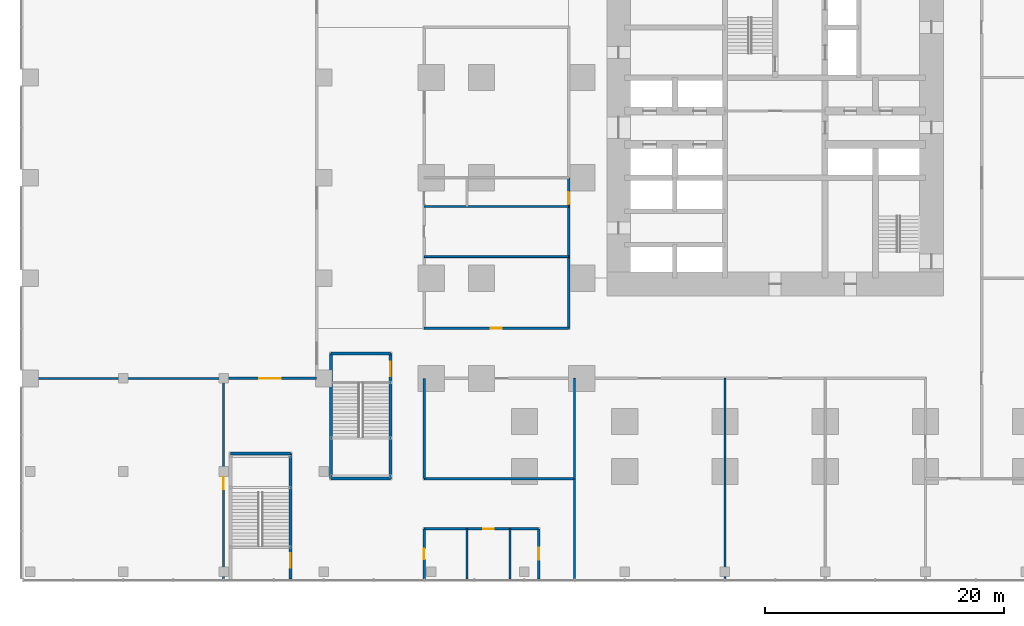
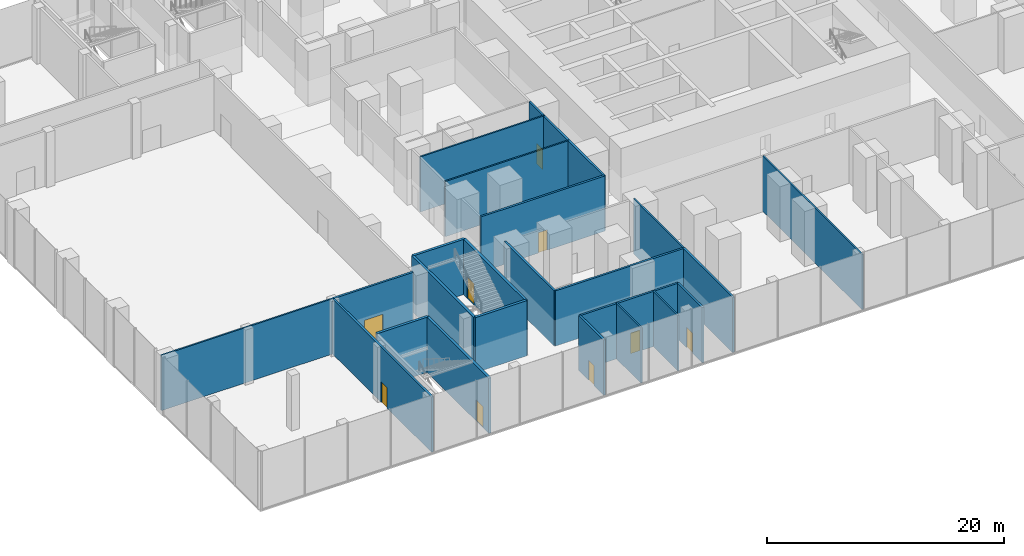
# One storey, part 25 of 32: 23 walls, 9 doors, 9 openings.
"""IFC4 building model written with IfcOpenShell, lengths in metres."""

from ifc_helpers import new_model, si_unit, direction, frame, frame_2d, origin, origin_with_axes, place, context, subcontext, project, spatial, rectangle, extrude, material, layer, layer_set, type_object, element, fill, save


model = new_model("IFC4")

# Units and contexts
model_context = context("Model", 3, precision=1e-05, world=origin(), true_north=direction((0.0, 1.0)))
body_context = subcontext(model_context, "Body", "Model", "MODEL_VIEW")
ifc_project = project(units=[si_unit("LENGTHUNIT", "METRE"), si_unit("AREAUNIT", "SQUARE_METRE"), si_unit("VOLUMEUNIT", "CUBIC_METRE"), si_unit("PLANEANGLEUNIT", "RADIAN"), si_unit("MASSUNIT", "GRAM", prefix="KILO")], contexts=[model_context])

# Site, building, storey
site_placement = place(None, origin())
site = spatial("IfcSite", under=ifc_project, at=site_placement, CompositionType="ELEMENT")
building_placement = place(site_placement, origin())
building = spatial("IfcBuilding", under=site, at=building_placement, Name="Dunama Terrace Hotel", CompositionType="ELEMENT")
storey_placement = place(building_placement, frame((0.0, 0.0, 6.0)))
storey = spatial("IfcBuildingStorey", under=building, at=storey_placement, Name="L01", CompositionType="ELEMENT", Elevation=6.0)

# Wall, opening, door
ifc_material_1 = material(Name="Concrete blockwork", Category="masonry")
ifc_layer_1 = layer(ifc_material_1, 0.199951171875)
ifc_layer_set_1 = layer_set([ifc_layer_1], Name="Corridor partition 200")
wall_type_1 = type_object("IfcWallType", Name="Corridor partition 200", PredefinedType="PARTITIONING", material=ifc_layer_set_1)
wall_1_placement = place(storey_placement, frame((-16.800048828125, -8.39990234375, 0.0), z_axis=(0.0, 0.0, 1.0), x_axis=(0.0, 1.0, 0.0)))
wall_1 = element("IfcWall", 1, at=wall_1_placement, inside=storey, type_object=wall_type_1, Name="Corridor partition 200 L01", PredefinedType="PARTITIONING", context=body_context, shape_type="SweptSolid", body=[
    extrude(rectangle(XDim=16.7998046875, YDim=0.199951171875, at=frame_2d((8.39990234375, 0.0))), origin(), (0.0, 0.0, 1.0), 5.699951171875),
])
opening_1_placement = place(wall_1_placement, frame((7.5, 0.0, 0.0)))
opening_1 = element("IfcOpeningElement", 2, at=opening_1_placement, cuts=wall_1, Name="Opening L01-036", PredefinedType="OPENING", context=body_context, shape_type="SweptSolid", body=[
    extrude(rectangle(XDim=1.0, YDim=2.10009765625, at=frame_2d((0.5, 1.050048828125))), frame((0.0, 0.10986328125, 0.0), z_axis=(0.0, -1.0, 0.0), x_axis=(1.0, 0.0, 0.0)), (0.0, 0.0, 1.0), 0.219970703125),
])
ifc_material_2 = material(Name="Timber door with steel frame", Category="steel")
door_type_1 = type_object("IfcDoorType", Name="Service door 1000", OperationType="SINGLE_SWING_LEFT", PredefinedType="DOOR", material=ifc_material_2)
door_1_placement = place(opening_1_placement, origin())
door_1 = element("IfcDoor", 3, at=door_1_placement, inside=storey, type_object=door_type_1, Name="Door to banquet store L01-036, type D7", OperationType="SINGLE_SWING_RIGHT", OverallHeight=2.10009765625, OverallWidth=1.0, PredefinedType="DOOR", context=body_context, shape_type="SweptSolid", body=[
    extrude(rectangle(XDim=1.0, YDim=2.10009765625, at=frame_2d((0.5, 1.050048828125))), frame((0.0, 0.02490234375, 0.0), z_axis=(0.0, -1.0, 0.0), x_axis=(1.0, 0.0, 0.0)), (0.0, 0.0, 1.0), 0.050048828125),
])
fill(opening_1, door_1)

wall_2_placement = place(storey_placement, frame((0.0, -8.39990234375, 0.0), z_axis=(0.0, 0.0, 1.0), x_axis=(0.0, 1.0, 0.0)))
wall_2 = element("IfcWall", 4, at=wall_2_placement, inside=storey, type_object=wall_type_1, Name="Corridor partition 200 L01", PredefinedType="PARTITIONING", context=body_context, shape_type="SweptSolid", body=[
    extrude(rectangle(XDim=4.199951171875, YDim=0.199951171875, at=frame_2d((2.10009765625, 0.0))), origin(), (0.0, 0.0, 1.0), 5.699951171875),
])
opening_2_placement = place(wall_2_placement, frame((1.64990234375, 0.0, 0.0)))
opening_2 = element("IfcOpeningElement", 5, at=opening_2_placement, cuts=wall_2, Name="Opening L01-041", PredefinedType="OPENING", context=body_context, shape_type="SweptSolid", body=[
    extrude(rectangle(XDim=0.89990234375, YDim=2.10009765625, at=frame_2d((0.449951171875, 1.050048828125))), frame((0.0, 0.10986328125, 0.0), z_axis=(0.0, -1.0, 0.0), x_axis=(1.0, 0.0, 0.0)), (0.0, 0.0, 1.0), 0.219970703125),
])
ifc_material_3 = material(Name="Timber door with steel frame", Category="steel")
door_type_2 = type_object("IfcDoorType", Name="WC door 900", OperationType="SINGLE_SWING_LEFT", PredefinedType="DOOR", material=ifc_material_3)
door_2_placement = place(opening_2_placement, frame((0.89990234375, 0.0, 0.0), z_axis=(0.0, 0.0, 1.0), x_axis=(-1.0, 0.0, 0.0)))
door_2 = element("IfcDoor", 6, at=door_2_placement, inside=storey, type_object=door_type_2, Name="Door to male wc L01-041, type D6", OperationType="SINGLE_SWING_RIGHT", OverallHeight=2.10009765625, OverallWidth=0.89990234375, PredefinedType="DOOR", context=body_context, shape_type="SweptSolid", body=[
    extrude(rectangle(XDim=0.89990234375, YDim=2.10009765625, at=frame_2d((0.449951171875, 1.050048828125))), frame((0.0, 0.025146484375, 0.0), z_axis=(0.0, -1.0, 0.0), x_axis=(1.0, 0.0, 0.0)), (0.0, 0.0, 1.0), 0.050048828125),
])
fill(opening_2, door_2)

# Wall
wall_3_placement = place(storey_placement, frame((0.0, 0.0, 0.0), z_axis=(0.0, 0.0, 1.0), x_axis=(0.0, 1.0, 0.0)))
element("IfcWall", 7, at=wall_3_placement, inside=storey, type_object=wall_type_1, Name="Corridor partition 200 L01", PredefinedType="PARTITIONING", context=body_context, shape_type="SweptSolid", body=[
    extrude(rectangle(XDim=8.39990234375, YDim=0.199951171875, at=frame_2d((4.199951171875, 0.0))), origin(), (0.0, 0.0, 1.0), 5.699951171875),
])

# Wall, opening, door
wall_4_placement = place(storey_placement, frame((9.60009765625, -8.423095703125, 0.0), z_axis=(0.0, 0.0, 1.0), x_axis=(0.0, 1.0, 0.0)))
wall_4 = element("IfcWall", 8, at=wall_4_placement, inside=storey, type_object=wall_type_1, Name="Corridor partition 200 L01", PredefinedType="PARTITIONING", context=body_context, shape_type="SweptSolid", body=[
    extrude(rectangle(XDim=4.22314453125, YDim=0.199951171875, at=frame_2d((2.111572265625, 0.0))), origin(), (0.0, 0.0, 1.0), 5.699951171875),
])
opening_3_placement = place(wall_4_placement, frame((1.623046875, 0.0, 0.0)))
opening_3 = element("IfcOpeningElement", 9, at=opening_3_placement, cuts=wall_4, Name="Opening L01-043", PredefinedType="OPENING", context=body_context, shape_type="SweptSolid", body=[
    extrude(rectangle(XDim=1.0, YDim=2.10009765625, at=frame_2d((0.5, 1.050048828125))), frame((0.0, 0.10986328125, 0.0), z_axis=(0.0, -1.0, 0.0), x_axis=(1.0, 0.0, 0.0)), (0.0, 0.0, 1.0), 0.219970703125),
])
ifc_material_4 = material(Name="Timber door with steel frame", Category="steel")
door_type_3 = type_object("IfcDoorType", Name="Accessible room door 1000", OperationType="SINGLE_SWING_LEFT", PredefinedType="DOOR", material=ifc_material_4)
door_3_placement = place(opening_3_placement, origin())
door_3 = element("IfcDoor", 10, at=door_3_placement, inside=storey, type_object=door_type_3, Name="Door to accessible wc L01-043, type D17", OperationType="SINGLE_SWING_LEFT", OverallHeight=2.10009765625, OverallWidth=1.0, PredefinedType="DOOR", context=body_context, shape_type="SweptSolid", body=[
    extrude(rectangle(XDim=1.0, YDim=2.10009765625, at=frame_2d((0.5, 1.050048828125))), frame((0.0, 0.02490234375, 0.0), z_axis=(0.0, -1.0, 0.0), x_axis=(1.0, 0.0, 0.0)), (0.0, 0.0, 1.0), 0.050048828125),
])
fill(opening_3, door_3)

wall_5_placement = place(storey_placement, frame((12.10009765625, 12.60009765625, 0.0), z_axis=(0.0, 0.0, 1.0), x_axis=(0.0, 1.0, 0.0)))
wall_5 = element("IfcWall", 11, at=wall_5_placement, inside=storey, type_object=wall_type_1, Name="Corridor partition 200 L01", PredefinedType="PARTITIONING", context=body_context, shape_type="SweptSolid", body=[
    extrude(rectangle(XDim=12.599853515625, YDim=0.199951171875, at=frame_2d((6.2998046875, 0.0))), origin(), (0.0, 0.0, 1.0), 5.699951171875),
])
opening_4_placement = place(wall_5_placement, frame((10.39990234375, 0.0, 0.0)))
opening_4 = element("IfcOpeningElement", 12, at=opening_4_placement, cuts=wall_5, Name="Opening L01-047", PredefinedType="OPENING", context=body_context, shape_type="SweptSolid", body=[
    extrude(rectangle(XDim=1.0, YDim=2.10009765625, at=frame_2d((0.5, 1.050048828125))), frame((0.0, 0.10986328125, 0.0), z_axis=(0.0, -1.0, 0.0), x_axis=(1.0, 0.0, 0.0)), (0.0, 0.0, 1.0), 0.219970703125),
])
door_4_placement = place(opening_4_placement, origin())
door_4 = element("IfcDoor", 13, at=door_4_placement, inside=storey, type_object=door_type_1, Name="Door to ballroom wc cleaners store L01-047, type D7", OperationType="SINGLE_SWING_RIGHT", OverallHeight=2.10009765625, OverallWidth=1.0, PredefinedType="DOOR", context=body_context, shape_type="SweptSolid", body=[
    extrude(rectangle(XDim=1.0, YDim=2.10009765625, at=frame_2d((0.5, 1.050048828125))), frame((0.0, 0.02490234375, 0.0), z_axis=(0.0, -1.0, 0.0), x_axis=(1.0, 0.0, 0.0)), (0.0, 0.0, 1.0), 0.050048828125),
])
fill(opening_4, door_4)

# Wall
wall_6_placement = place(storey_placement, frame((12.60009765625, -8.39990234375, 0.0), z_axis=(0.0, 0.0, 1.0), x_axis=(0.0, 1.0, 0.0)))
element("IfcWall", 14, at=wall_6_placement, inside=storey, type_object=wall_type_1, Name="Corridor partition 200 L01", PredefinedType="PARTITIONING", context=body_context, shape_type="SweptSolid", body=[
    extrude(rectangle(XDim=8.39990234375, YDim=0.199951171875, at=frame_2d((4.199951171875, 0.0))), origin(), (0.0, 0.0, 1.0), 5.699951171875),
])

# Wall, opening, door
wall_7_placement = place(storey_placement, frame((0.0, -4.199951171875, 0.0), z_axis=(0.0, 0.0, 1.0), x_axis=(1.0, 0.0, 0.0)))
wall_7 = element("IfcWall", 15, at=wall_7_placement, inside=storey, type_object=wall_type_1, Name="Corridor partition 200 L01", PredefinedType="PARTITIONING", context=body_context, shape_type="SweptSolid", body=[
    extrude(rectangle(XDim=9.60009765625, YDim=0.199951171875, at=frame_2d((4.800048828125, 0.0))), origin(), (0.0, 0.0, 1.0), 5.699951171875),
])
opening_5_placement = place(wall_7_placement, frame((4.949951171875, 0.0, 0.0)))
opening_5 = element("IfcOpeningElement", 16, at=opening_5_placement, cuts=wall_7, Name="Opening L01-042", PredefinedType="OPENING", context=body_context, shape_type="SweptSolid", body=[
    extrude(rectangle(XDim=0.89990234375, YDim=2.10009765625, at=frame_2d((0.449951171875, 1.050048828125))), frame((0.0, 0.10986328125, 0.0), z_axis=(0.0, -1.0, 0.0), x_axis=(1.0, 0.0, 0.0)), (0.0, 0.0, 1.0), 0.219970703125),
])
door_5_placement = place(opening_5_placement, frame((0.89990234375, 0.0, 0.0), z_axis=(0.0, 0.0, 1.0), x_axis=(-1.0, 0.0, 0.0)))
door_5 = element("IfcDoor", 17, at=door_5_placement, inside=storey, type_object=door_type_2, Name="Door to female wc L01-042, type D6", OperationType="SINGLE_SWING_LEFT", OverallHeight=2.10009765625, OverallWidth=0.89990234375, PredefinedType="DOOR", context=body_context, shape_type="SweptSolid", body=[
    extrude(rectangle(XDim=0.89990234375, YDim=2.10009765625, at=frame_2d((0.449951171875, 1.050048828125))), frame((0.0, 0.025146484375, 0.0), z_axis=(0.0, -1.0, 0.0), x_axis=(1.0, 0.0, 0.0)), (0.0, 0.0, 1.0), 0.050048828125),
])
fill(opening_5, door_5)

# Wall
wall_8_placement = place(storey_placement, origin_with_axes())
element("IfcWall", 18, at=wall_8_placement, inside=storey, type_object=wall_type_1, Name="Corridor partition 200 L01", PredefinedType="PARTITIONING", context=body_context, shape_type="SweptSolid", body=[
    extrude(rectangle(XDim=12.60009765625, YDim=0.199951171875, at=frame_2d((6.300048828125, 0.0))), origin(), (0.0, 0.0, 1.0), 5.699951171875),
])

# Wall, opening, door
wall_9_placement = place(storey_placement, frame((0.0, 12.60009765625, 0.0), z_axis=(0.0, 0.0, 1.0), x_axis=(1.0, 0.0, 0.0)))
wall_9 = element("IfcWall", 19, at=wall_9_placement, inside=storey, type_object=wall_type_1, Name="Corridor partition 200 L01", PredefinedType="PARTITIONING", context=body_context, shape_type="SweptSolid", body=[
    extrude(rectangle(XDim=12.10009765625, YDim=0.199951171875, at=frame_2d((6.050048828125, 0.0))), origin(), (0.0, 0.0, 1.0), 5.699951171875),
])
opening_6_placement = place(wall_9_placement, frame((5.60009765625, 0.0, 0.0)))
opening_6 = element("IfcOpeningElement", 20, at=opening_6_placement, cuts=wall_9, Name="Opening L01-044", PredefinedType="OPENING", context=body_context, shape_type="SweptSolid", body=[
    extrude(rectangle(XDim=0.89990234375, YDim=2.10009765625, at=frame_2d((0.449951171875, 1.050048828125))), frame((0.0, 0.10986328125, 0.0), z_axis=(0.0, -1.0, 0.0), x_axis=(1.0, 0.0, 0.0)), (0.0, 0.0, 1.0), 0.219970703125),
])
door_6_placement = place(opening_6_placement, origin())
door_6 = element("IfcDoor", 21, at=door_6_placement, inside=storey, type_object=door_type_2, Name="Door to ballroom female wc L01-044, type D6", OperationType="SINGLE_SWING_LEFT", OverallHeight=2.10009765625, OverallWidth=0.89990234375, PredefinedType="DOOR", context=body_context, shape_type="SweptSolid", body=[
    extrude(rectangle(XDim=0.89990234375, YDim=2.10009765625, at=frame_2d((0.449951171875, 1.050048828125))), frame((0.0, 0.02490234375, 0.0), z_axis=(0.0, -1.0, 0.0), x_axis=(1.0, 0.0, 0.0)), (0.0, 0.0, 1.0), 0.050048828125),
])
fill(opening_6, door_6)

wall_10_placement = place(storey_placement, frame((-9.0, 8.39990234375, 0.0), z_axis=(0.0, 0.0, 1.0), x_axis=(-1.0, 0.0, 0.0)))
wall_10 = element("IfcWall", 22, at=wall_10_placement, inside=storey, type_object=wall_type_1, Name="Corridor partition 200 L01", PredefinedType="PARTITIONING", context=body_context, shape_type="SweptSolid", body=[
    extrude(rectangle(XDim=7.800048828125, YDim=0.199951171875, at=frame_2d((3.89990234375, 0.0))), origin(), (0.0, 0.0, 1.0), 5.699951171875),
])
opening_7_placement = place(wall_10_placement, frame((3.0, 0.0, 0.0)))
opening_7 = element("IfcOpeningElement", 23, at=opening_7_placement, cuts=wall_10, Name="Opening L01-029", PredefinedType="OPENING", context=body_context, shape_type="SweptSolid", body=[
    extrude(rectangle(XDim=1.800048828125, YDim=2.39990234375, at=frame_2d((0.89990234375, 1.199951171875))), frame((0.0, 0.10986328125, 0.0), z_axis=(0.0, -1.0, 0.0), x_axis=(1.0, 0.0, 0.0)), (0.0, 0.0, 1.0), 0.219970703125),
])
ifc_material_5 = material(Name="Aluminium-framed glazed door", Category="aluminium")
door_type_4 = type_object("IfcDoorType", Name="Glazed double door 1800", OperationType="DOUBLE_DOOR_DOUBLE_SWING", PredefinedType="DOOR", material=ifc_material_5)
door_7_placement = place(opening_7_placement, origin())
door_7 = element("IfcDoor", 24, at=door_7_placement, inside=storey, type_object=door_type_4, Name="Door to ballroom L01-029, type D8", OperationType="DOUBLE_DOOR_DOUBLE_SWING", OverallHeight=2.39990234375, OverallWidth=1.800048828125, PredefinedType="DOOR", context=body_context, shape_type="SweptSolid", body=[
    extrude(rectangle(XDim=1.800048828125, YDim=2.39990234375, at=frame_2d((0.89990234375, 1.199951171875))), frame((0.0, 0.02490234375, 0.0), z_axis=(0.0, -1.0, 0.0), x_axis=(1.0, 0.0, 0.0)), (0.0, 0.0, 1.0), 0.050048828125),
])
fill(opening_7, door_7)

# Walls
ifc_material_6 = material(Name="Gypsum board partition", Category="masonry")
ifc_layer_2 = layer(ifc_material_6, 0.14990234375)
ifc_layer_set_2 = layer_set([ifc_layer_2], Name="Room partition 150")
wall_type_2 = type_object("IfcWallType", Name="Room partition 150", PredefinedType="PARTITIONING", material=ifc_layer_set_2)
for number, where, z_axis, x_axis, name in (
    (25, (3.60009765625, -8.423095703125, 0.0), (0.0, 0.0, 1.0), (0.0, 1.0, 0.0), "Room partition 150 L01"),
    (26, (7.199951171875, -8.423095703125, 0.0), (0.0, 0.0, 1.0), (0.0, 1.0, 0.0), "Room partition 150 L01"),
):
    element("IfcWall", number, at=place(storey_placement, frame(where, z_axis=z_axis, x_axis=x_axis)), inside=storey, type_object=wall_type_2, Name=name, PredefinedType="PARTITIONING", context=body_context, shape_type="SweptSolid", body=[
        extrude(rectangle(XDim=4.22314453125, YDim=0.14990234375, at=frame_2d((2.111572265625, 0.0))), origin(), (0.0, 0.0, 1.0), 5.699951171875),
    ])
wall_11_placement = place(storey_placement, frame((12.60009765625, 0.0, 0.0), z_axis=(0.0, 0.0, 1.0), x_axis=(0.0, 1.0, 0.0)))
element("IfcWall", 27, at=wall_11_placement, inside=storey, type_object=wall_type_2, Name="Room partition 150 L01", PredefinedType="PARTITIONING", context=body_context, shape_type="SweptSolid", body=[
    extrude(rectangle(XDim=8.39990234375, YDim=0.14990234375, at=frame_2d((4.199951171875, 0.0))), origin(), (0.0, 0.0, 1.0), 5.699951171875),
])
wall_12_placement = place(storey_placement, frame((25.199951171875, -8.39990234375, 0.0), z_axis=(0.0, 0.0, 1.0), x_axis=(0.0, 1.0, 0.0)))
element("IfcWall", 28, at=wall_12_placement, inside=storey, type_object=wall_type_2, Name="Room partition 150 L01", PredefinedType="PARTITIONING", context=body_context, shape_type="SweptSolid", body=[
    extrude(rectangle(XDim=16.7998046875, YDim=0.14990234375, at=frame_2d((8.39990234375, 0.0))), origin(), (0.0, 0.0, 1.0), 5.699951171875),
])
wall_13_placement = place(storey_placement, frame((-33.60009765625, 8.39990234375, 0.0), z_axis=(0.0, 0.0, 1.0), x_axis=(1.0, 0.0, 0.0)))
element("IfcWall", 29, at=wall_13_placement, inside=storey, type_object=wall_type_2, Name="Room partition 150 L01", PredefinedType="PARTITIONING", context=body_context, shape_type="SweptSolid", body=[
    extrude(rectangle(XDim=16.800048828125, YDim=0.14990234375, at=frame_2d((8.39990234375, 0.0))), origin(), (0.0, 0.0, 1.0), 5.699951171875),
])
for number, where, z_axis, x_axis, name in (
    (30, (0.0, 18.60009765625, 0.0), (0.0, 0.0, 1.0), (1.0, 0.0, 0.0), "Room partition 150 L01"),
    (31, (0.0, 22.800048828125, 0.0), (0.0, 0.0, 1.0), (1.0, 0.0, 0.0), "Room partition 150 L01"),
):
    element("IfcWall", number, at=place(storey_placement, frame(where, z_axis=z_axis, x_axis=x_axis)), inside=storey, type_object=wall_type_2, Name=name, PredefinedType="PARTITIONING", context=body_context, shape_type="SweptSolid", body=[
        extrude(rectangle(XDim=12.10009765625, YDim=0.14990234375, at=frame_2d((6.050048828125, 0.0))), origin(), (0.0, 0.0, 1.0), 5.699951171875),
    ])

# Wall, opening, door
ifc_material_7 = material(Name="Concrete blockwork", Category="masonry")
ifc_layer_3 = layer(ifc_material_7, 0.25)
ifc_layer_set_3 = layer_set([ifc_layer_3], Name="Stair enclosure wall 250")
wall_type_3 = type_object("IfcWallType", Name="Stair enclosure wall 250", PredefinedType="PARTITIONING", material=ifc_layer_set_3)
wall_14_placement = place(storey_placement, frame((-11.199951171875, -8.423095703125, 0.0), z_axis=(0.0, 0.0, 1.0), x_axis=(0.0, 1.0, 0.0)))
wall_14 = element("IfcWall", 32, at=wall_14_placement, inside=storey, type_object=wall_type_3, Name="Stair enclosure wall 250 L01", PredefinedType="PARTITIONING", context=body_context, shape_type="SweptSolid", body=[
    extrude(rectangle(XDim=10.523193359375, YDim=0.25, at=frame_2d((5.26171875, 0.0))), origin(), (0.0, 0.0, 1.0), 5.699951171875),
])
opening_8_placement = place(wall_14_placement, frame((0.972900390625, 0.0, 0.0)))
opening_8 = element("IfcOpeningElement", 33, at=opening_8_placement, cuts=wall_14, Name="Opening L01-004", PredefinedType="OPENING", context=body_context, shape_type="SweptSolid", body=[
    extrude(rectangle(XDim=1.199951171875, YDim=2.199951171875, at=frame_2d((0.60009765625, 1.10009765625))), frame((0.0, 0.135009765625, 0.0), z_axis=(0.0, -1.0, 0.0), x_axis=(1.0, 0.0, 0.0)), (0.0, 0.0, 1.0), 0.27001953125),
])
ifc_material_8 = material(Name="Timber door with steel frame", Category="steel")
door_type_5 = type_object("IfcDoorType", Name="Stair door 1200", OperationType="SINGLE_SWING_LEFT", PredefinedType="DOOR", material=ifc_material_8)
door_8_placement = place(opening_8_placement, origin())
door_8 = element("IfcDoor", 34, at=door_8_placement, inside=storey, type_object=door_type_5, Name="Stair door P2 L01-004, type D5", OperationType="SINGLE_SWING_RIGHT", OverallHeight=2.199951171875, OverallWidth=1.199951171875, PredefinedType="DOOR", context=body_context, shape_type="SweptSolid", body=[
    extrude(rectangle(XDim=1.199951171875, YDim=2.199951171875, at=frame_2d((0.60009765625, 1.10009765625))), frame((0.0, 0.02490234375, 0.0), z_axis=(0.0, -1.0, 0.0), x_axis=(1.0, 0.0, 0.0)), (0.0, 0.0, 1.0), 0.050048828125),
])
fill(opening_8, door_8)

# Wall
wall_15_placement = place(storey_placement, frame((-7.800048828125, 0.0, 0.0), z_axis=(0.0, 0.0, 1.0), x_axis=(0.0, 1.0, 0.0)))
element("IfcWall", 35, at=wall_15_placement, inside=storey, type_object=wall_type_3, Name="Stair enclosure wall 250 L01", PredefinedType="PARTITIONING", context=body_context, shape_type="SweptSolid", body=[
    extrude(rectangle(XDim=10.5, YDim=0.25, at=frame_2d((5.25, 0.0))), origin(), (0.0, 0.0, 1.0), 5.699951171875),
])

# Wall, opening, door
wall_16_placement = place(storey_placement, frame((-2.800048828125, 0.0, 0.0), z_axis=(0.0, 0.0, 1.0), x_axis=(0.0, 1.0, 0.0)))
wall_16 = element("IfcWall", 36, at=wall_16_placement, inside=storey, type_object=wall_type_3, Name="Stair enclosure wall 250 L01", PredefinedType="PARTITIONING", context=body_context, shape_type="SweptSolid", body=[
    extrude(rectangle(XDim=10.5, YDim=0.25, at=frame_2d((5.25, 0.0))), origin(), (0.0, 0.0, 1.0), 5.699951171875),
])
opening_9_placement = place(wall_16_placement, frame((8.574951171875, 0.0, 0.0)))
opening_9 = element("IfcOpeningElement", 37, at=opening_9_placement, cuts=wall_16, Name="Opening L01-006", PredefinedType="OPENING", context=body_context, shape_type="SweptSolid", body=[
    extrude(rectangle(XDim=1.199951171875, YDim=2.199951171875, at=frame_2d((0.60009765625, 1.10009765625))), frame((0.0, 0.135009765625, 0.0), z_axis=(0.0, -1.0, 0.0), x_axis=(1.0, 0.0, 0.0)), (0.0, 0.0, 1.0), 0.27001953125),
])
door_9_placement = place(opening_9_placement, origin())
door_9 = element("IfcDoor", 38, at=door_9_placement, inside=storey, type_object=door_type_5, Name="Stair door P4 L01-006, type D5", OperationType="SINGLE_SWING_LEFT", OverallHeight=2.199951171875, OverallWidth=1.199951171875, PredefinedType="DOOR", context=body_context, shape_type="SweptSolid", body=[
    extrude(rectangle(XDim=1.199951171875, YDim=2.199951171875, at=frame_2d((0.60009765625, 1.10009765625))), frame((0.0, 0.02490234375, 0.0), z_axis=(0.0, -1.0, 0.0), x_axis=(1.0, 0.0, 0.0)), (0.0, 0.0, 1.0), 0.050048828125),
])
fill(opening_9, door_9)

# Walls
for number, where, z_axis, x_axis, name in (
    (39, (-7.800048828125, 0.0, 0.0), (0.0, 0.0, 1.0), (1.0, 0.0, 0.0), "Stair enclosure wall 250 L01"),
    (40, (-16.199951171875, 2.10009765625, 0.0), (0.0, 0.0, 1.0), (1.0, 0.0, 0.0), "Stair enclosure wall 250 L01"),
    (41, (-7.800048828125, 10.5, 0.0), (0.0, 0.0, 1.0), (1.0, 0.0, 0.0), "Stair enclosure wall 250 L01"),
):
    element("IfcWall", number, at=place(storey_placement, frame(where, z_axis=z_axis, x_axis=x_axis)), inside=storey, type_object=wall_type_3, Name=name, PredefinedType="PARTITIONING", context=body_context, shape_type="SweptSolid", body=[
        extrude(rectangle(XDim=5.0, YDim=0.25, at=frame_2d((2.5, 0.0))), origin(), (0.0, 0.0, 1.0), 5.699951171875),
    ])

save(model, "model.ifc")
